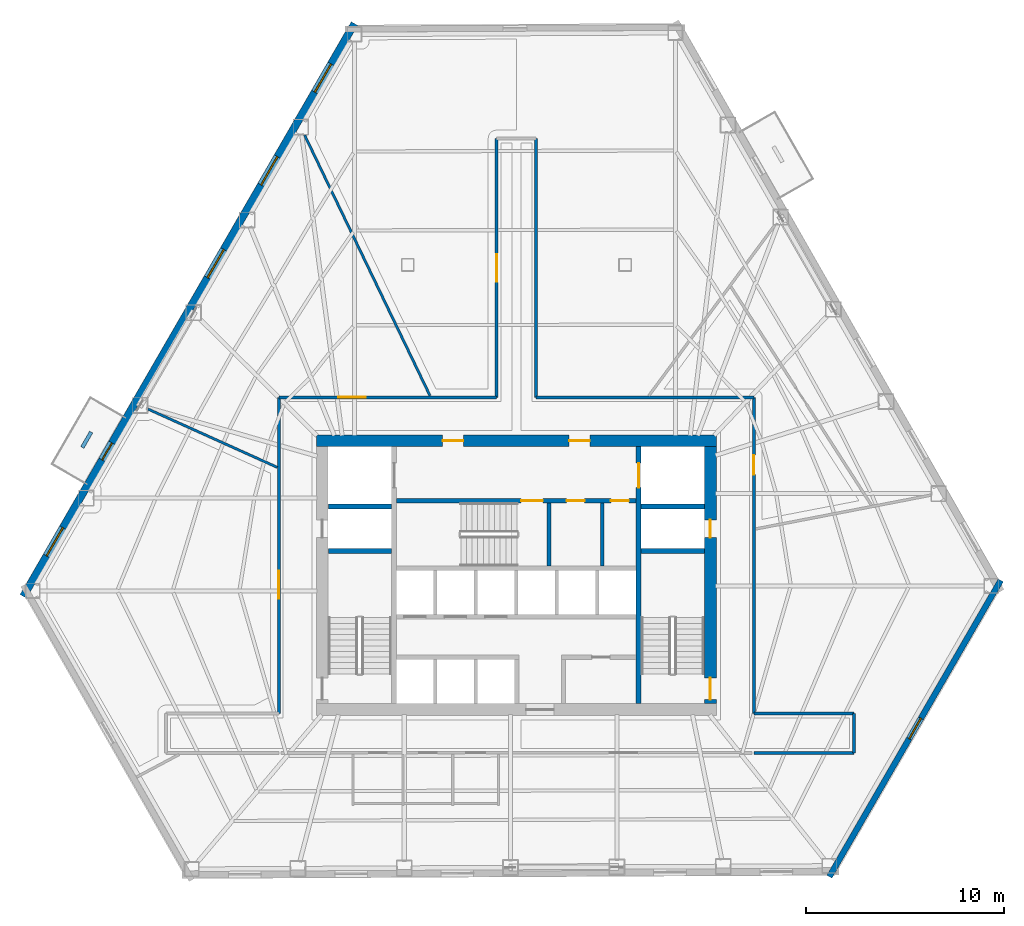
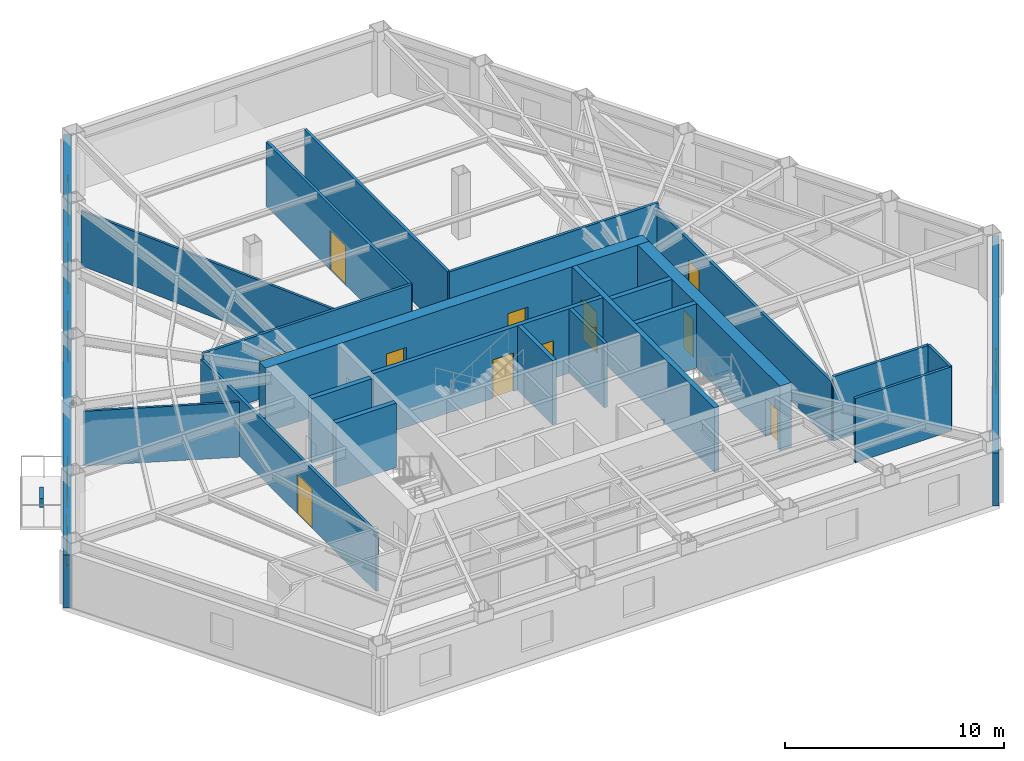
# One storey, part 7 of 11: 24 walls, 13 doors, 5 windows, 18 openings.
"""IFC4 building model written with IfcOpenShell, lengths in metres."""

from ifc_helpers import new_model, si_unit, direction, frame, frame_2d, origin, place, context, subcontext, project, spatial, rectangle, extrude, material, layer, layer_set, type_object, element, fill, save


model = new_model("IFC4")

# Units and contexts
model_context = context("Model", 3, precision=1e-05, world=origin(), true_north=direction((0.0, 1.0)))
body_context = subcontext(model_context, "Body", "Model", "MODEL_VIEW")
ifc_project = project(units=[si_unit("LENGTHUNIT", "METRE"), si_unit("AREAUNIT", "SQUARE_METRE"), si_unit("VOLUMEUNIT", "CUBIC_METRE"), si_unit("PLANEANGLEUNIT", "RADIAN"), si_unit("MASSUNIT", "GRAM", prefix="KILO")], contexts=[model_context])

# Site, building, storey
site_placement = place(None, origin())
site = spatial("IfcSite", under=ifc_project, at=site_placement, CompositionType="ELEMENT")
building_placement = place(site_placement, origin())
building = spatial("IfcBuilding", under=site, at=building_placement, Name="Kavelnor Concourse Tower", CompositionType="ELEMENT")
storey_placement = place(building_placement, frame((0.0, 0.0, 9.85009765625)))
storey = spatial("IfcBuildingStorey", under=building, at=storey_placement, Name="L02", CompositionType="ELEMENT", Elevation=9.85009765625)

# Wall, openings, doors
ifc_material_1 = material(Name="Concrete C60/75", Category="concrete")
ifc_layer_1 = layer(ifc_material_1, 0.60009765625, Name="Concrete C60/75")
ifc_layer_set_1 = layer_set([ifc_layer_1], Name="Concrete C60/75")
wall_type_1 = type_object("IfcWallType", Name="WL-CORE-Z1-600", PredefinedType="SOLIDWALL", material=ifc_layer_set_1)
wall_1_placement = place(storey_placement, frame((27.8798828125, 22.89990234375, 0.0), z_axis=(0.0, 0.0, 1.0), x_axis=(1.0, 0.0, 0.0)))
wall_1 = element("IfcWall", 1, at=wall_1_placement, inside=storey, type_object=wall_type_1, Name="L02 Central Core North Shear Wall", PredefinedType="SOLIDWALL", context=body_context, shape_type="SweptSolid", body=[
    extrude(rectangle(XDim=20.240234375, YDim=0.60009765625, at=frame_2d((10.1201171875, 0.0))), origin(), (0.0, 0.0, 1.0), 3.58984375),
])
opening_1_placement = place(wall_1_placement, frame((6.39501953125, 0.0, 0.0)))
opening_1 = element("IfcOpeningElement", 2, at=opening_1_placement, cuts=wall_1, Name="Opening FD-105", PredefinedType="OPENING", context=body_context, shape_type="SweptSolid", body=[
    extrude(rectangle(XDim=1.050048828125, YDim=2.14990234375, at=frame_2d((0.52490234375, 1.074951171875))), frame((0.0, 0.31005859375, 0.0), z_axis=(0.0, -1.0, 0.0), x_axis=(1.0, 0.0, 0.0)), (0.0, 0.0, 1.0), 0.6201171875),
])
opening_2_placement = place(wall_1_placement, frame((12.794921875, 0.0, 0.0)))
opening_2 = element("IfcOpeningElement", 3, at=opening_2_placement, cuts=wall_1, Name="Opening FD-105", PredefinedType="OPENING", context=body_context, shape_type="SweptSolid", body=[
    extrude(rectangle(XDim=1.050048828125, YDim=2.14990234375, at=frame_2d((0.52490234375, 1.074951171875))), frame((0.0, 0.31005859375, 0.0), z_axis=(0.0, -1.0, 0.0), x_axis=(1.0, 0.0, 0.0)), (0.0, 0.0, 1.0), 0.6201171875),
])
ifc_material_2 = material(Name="Steel Grade 350", Category="steel")
door_type_1 = type_object("IfcDoorType", Name="DR-LOBBY-FIRE-1050", OperationType="NOTDEFINED", PredefinedType="DOOR", material=ifc_material_2)
door_1_placement = place(opening_1_placement, origin())
door_1 = element("IfcDoor", 4, at=door_1_placement, inside=storey, type_object=door_type_1, Name="L02 Emergency Lift Lobby West Door", OperationType="SINGLE_SWING_LEFT", OverallHeight=2.14990234375, OverallWidth=1.050048828125, PredefinedType="DOOR", context=body_context, shape_type="SweptSolid", body=[
    extrude(rectangle(XDim=1.050048828125, YDim=2.14990234375, at=frame_2d((0.52490234375, 1.074951171875))), frame((0.0, 0.02490234375, 0.0), z_axis=(0.0, -1.0, 0.0), x_axis=(1.0, 0.0, 0.0)), (0.0, 0.0, 1.0), 0.050048828125),
])
fill(opening_1, door_1)
door_2_placement = place(opening_2_placement, origin())
door_2 = element("IfcDoor", 5, at=door_2_placement, inside=storey, type_object=door_type_1, Name="L02 Emergency Lift Lobby East Door", OperationType="SINGLE_SWING_RIGHT", OverallHeight=2.14990234375, OverallWidth=1.050048828125, PredefinedType="DOOR", context=body_context, shape_type="SweptSolid", body=[
    extrude(rectangle(XDim=1.050048828125, YDim=2.14990234375, at=frame_2d((0.52490234375, 1.074951171875))), frame((0.0, 0.02490234375, 0.0), z_axis=(0.0, -1.0, 0.0), x_axis=(1.0, 0.0, 0.0)), (0.0, 0.0, 1.0), 0.050048828125),
])
fill(opening_2, door_2)

wall_2_placement = place(storey_placement, frame((47.820068359375, 9.60009765625, 0.0), z_axis=(0.0, 0.0, 1.0), x_axis=(0.0, 1.0, 0.0)))
wall_2 = element("IfcWall", 6, at=wall_2_placement, inside=storey, type_object=wall_type_1, Name="L02 Central Core East Shear Wall", PredefinedType="SOLIDWALL", context=body_context, shape_type="SweptSolid", body=[
    extrude(rectangle(XDim=13.0, YDim=0.60009765625, at=frame_2d((6.5, 0.0))), origin(), (0.0, 0.0, 1.0), 3.58984375),
])
opening_3_placement = place(wall_2_placement, frame((0.199951171875, 0.0, 0.0)))
opening_3 = element("IfcOpeningElement", 7, at=opening_3_placement, cuts=wall_2, Name="Opening FD-110", PredefinedType="OPENING", context=body_context, shape_type="SweptSolid", body=[
    extrude(rectangle(XDim=1.10009765625, YDim=2.14990234375, at=frame_2d((0.550048828125, 1.074951171875))), frame((0.0, 0.31005859375, 0.0), z_axis=(0.0, -1.0, 0.0), x_axis=(1.0, 0.0, 0.0)), (0.0, 0.0, 1.0), 0.6201171875),
])
opening_4_placement = place(wall_2_placement, frame((8.39990234375, 0.0, 0.0)))
opening_4 = element("IfcOpeningElement", 8, at=opening_4_placement, cuts=wall_2, Name="Opening FD-090", PredefinedType="OPENING", context=body_context, shape_type="SweptSolid", body=[
    extrude(rectangle(XDim=0.89990234375, YDim=2.10009765625, at=frame_2d((0.449951171875, 1.050048828125))), frame((0.0, 0.31005859375, 0.0), z_axis=(0.0, -1.0, 0.0), x_axis=(1.0, 0.0, 0.0)), (0.0, 0.0, 1.0), 0.6201171875),
])
door_type_2 = type_object("IfcDoorType", Name="DR-RISER-FIRE-900", OperationType="NOTDEFINED", PredefinedType="DOOR", material=ifc_material_2)
door_3_placement = place(opening_4_placement, origin())
door_3 = element("IfcDoor", 9, at=door_3_placement, inside=storey, type_object=door_type_2, Name="L02 East Riser Access Door", OperationType="SINGLE_SWING_LEFT", OverallHeight=2.10009765625, OverallWidth=0.89990234375, PredefinedType="DOOR", context=body_context, shape_type="SweptSolid", body=[
    extrude(rectangle(XDim=0.89990234375, YDim=2.10009765625, at=frame_2d((0.449951171875, 1.050048828125))), frame((0.0, 0.02490234375, 0.0), z_axis=(0.0, -1.0, 0.0), x_axis=(1.0, 0.0, 0.0)), (0.0, 0.0, 1.0), 0.050048828125),
])
fill(opening_4, door_3)
door_type_3 = type_object("IfcDoorType", Name="DR-STAIR-FIRE-1100", OperationType="NOTDEFINED", PredefinedType="DOOR", material=ifc_material_2)
door_4_placement = place(opening_3_placement, origin())
door_4 = element("IfcDoor", 10, at=door_4_placement, inside=storey, type_object=door_type_3, Name="L02 Stair ST2 Fire Door", OperationType="SINGLE_SWING_RIGHT", OverallHeight=2.14990234375, OverallWidth=1.10009765625, PredefinedType="DOOR", context=body_context, shape_type="SweptSolid", body=[
    extrude(rectangle(XDim=1.10009765625, YDim=2.14990234375, at=frame_2d((0.550048828125, 1.074951171875))), frame((0.0, 0.02490234375, 0.0), z_axis=(0.0, -1.0, 0.0), x_axis=(1.0, 0.0, 0.0)), (0.0, 0.0, 1.0), 0.050048828125),
])
fill(opening_3, door_4)

# Wall, opening, window
ifc_material_3 = material(Name="Buff ironspot clay face brick masonry", Category="masonry")
ifc_layer_2 = layer(ifc_material_3, 0.300048828125, Name="Buff ironspot clay face brick masonry")
ifc_layer_set_2 = layer_set([ifc_layer_2], Name="Buff ironspot clay face brick masonry")
wall_type_2 = type_object("IfcWallType", Name="WL-EXT-BUFF-BRICK-FOLD-300", PredefinedType="STANDARD", material=ifc_layer_set_2)
wall_3_placement = place(storey_placement, frame((62.516845703125, 15.837158203125, 0.0), z_axis=(0.0, 0.0, 1.0), x_axis=(-0.500614653727, -0.86567024234, 0.0)))
wall_3 = element("IfcWall", 11, at=wall_3_placement, inside=storey, type_object=wall_type_2, Name="L02 Exterior Brick Facade Wall E4", PredefinedType="STANDARD", context=body_context, shape_type="SweptSolid", body=[
    extrude(rectangle(XDim=17.327392578125, YDim=0.300048828125, at=frame_2d((8.66357421875, 0.0))), origin(), (0.0, 0.0, 1.0), 2.969970703125),
])
opening_5_placement = place(wall_3_placement, frame((8.063720703125, 0.0, 0.64990234375)))
opening_5 = element("IfcOpeningElement", 12, at=opening_5_placement, cuts=wall_3, Name="Opening W-05", PredefinedType="OPENING", context=body_context, shape_type="SweptSolid", body=[
    extrude(rectangle(XDim=1.199951171875, YDim=1.699951171875, at=frame_2d((0.60009765625, 0.85009765625))), frame((0.0, 0.16015625, 0.0), z_axis=(0.0, -1.0, 0.0), x_axis=(1.0, 0.0, 0.0)), (0.0, 0.0, 1.0), 0.320068359375),
])
ifc_material_4 = material(Name="Double low-E argon insulated glazing", Category="glass")
window_type_1 = type_object("IfcWindowType", Name="WIN-FOLD-1200", PartitioningType="SINGLE_PANEL", PredefinedType="WINDOW", material=ifc_material_4)
window_1_placement = place(opening_5_placement, origin())
window_1 = element("IfcWindow", 13, at=window_1_placement, inside=storey, type_object=window_type_1, Name="L02 Chamfer-Fold Facet Window C2", OverallHeight=1.699951171875, OverallWidth=1.199951171875, PartitioningType="SINGLE_PANEL", PredefinedType="WINDOW", context=body_context, shape_type="SweptSolid", body=[
    extrude(rectangle(XDim=1.199951171875, YDim=1.699951171875, at=frame_2d((0.60009765625, 0.85009765625))), frame((0.0, 0.030029296875, 0.0), z_axis=(0.0, -1.0, 0.0), x_axis=(1.0, 0.0, 0.0)), (0.0, 0.0, 1.0), 0.06005859375),
])
fill(opening_5, window_1)

# Wall, openings, door, windows
ifc_material_5 = material(Name="Red-ochre clay face brick masonry", Category="masonry")
ifc_layer_3 = layer(ifc_material_5, 0.3798828125, Name="Red-ochre clay face brick masonry")
ifc_layer_set_3 = layer_set([ifc_layer_3], Name="Red-ochre clay face brick masonry")
wall_type_3 = type_object("IfcWallType", Name="WL-EXT-RED-BRICK-PIER-380", PredefinedType="STANDARD", material=ifc_layer_set_3)
wall_4_placement = place(storey_placement, frame((13.043701171875, 15.02685546875, 0.0), z_axis=(0.0, 0.0, 1.0), x_axis=(0.500616330433, 0.865669272704, 0.0)))
wall_4 = element("IfcWall", 14, at=wall_4_placement, inside=storey, type_object=wall_type_3, Name="L02 Exterior Brick Facade Wall E1", PredefinedType="STANDARD", context=body_context, shape_type="SweptSolid", body=[
    extrude(rectangle(XDim=33.486572265625, YDim=0.3798828125, at=frame_2d((16.7431640625, 0.0))), origin(), (0.0, 0.0, 1.0), 2.969970703125),
])
opening_6_placement = place(wall_4_placement, frame((7.9716796875, 0.0, 0.0)))
opening_6 = element("IfcOpeningElement", 15, at=opening_6_placement, cuts=wall_4, Name="Opening BD-100", PredefinedType="OPENING", context=body_context, shape_type="SweptSolid", body=[
    extrude(rectangle(XDim=1.0, YDim=2.199951171875, at=frame_2d((0.5, 1.10009765625))), frame((0.0, 0.199951171875, 0.0), z_axis=(0.0, -1.0, 0.0), x_axis=(1.0, 0.0, 0.0)), (0.0, 0.0, 1.0), 0.39990234375),
])
opening_7_placement = place(wall_4_placement, frame((29.47509765625, 0.0, 0.64990234375)))
opening_7 = element("IfcOpeningElement", 16, at=opening_7_placement, cuts=wall_4, Name="Opening W-01", PredefinedType="OPENING", context=body_context, shape_type="SweptSolid", body=[
    extrude(rectangle(XDim=1.64990234375, YDim=1.75, at=frame_2d((0.824951171875, 0.875))), frame((0.0, 0.199951171875, 0.0), z_axis=(0.0, -1.0, 0.0), x_axis=(1.0, 0.0, 0.0)), (0.0, 0.0, 1.0), 0.39990234375),
])
opening_8_placement = place(wall_4_placement, frame((24.052490234375, 0.0, 0.64990234375)))
opening_8 = element("IfcOpeningElement", 17, at=opening_8_placement, cuts=wall_4, Name="Opening W-01", PredefinedType="OPENING", context=body_context, shape_type="SweptSolid", body=[
    extrude(rectangle(XDim=1.64990234375, YDim=1.75, at=frame_2d((0.824951171875, 0.875))), frame((0.0, 0.199951171875, 0.0), z_axis=(0.0, -1.0, 0.0), x_axis=(1.0, 0.0, 0.0)), (0.0, 0.0, 1.0), 0.39990234375),
])
opening_9_placement = place(wall_4_placement, frame((18.6298828125, 0.0, 0.64990234375)))
opening_9 = element("IfcOpeningElement", 18, at=opening_9_placement, cuts=wall_4, Name="Opening W-01", PredefinedType="OPENING", context=body_context, shape_type="SweptSolid", body=[
    extrude(rectangle(XDim=1.64990234375, YDim=1.75, at=frame_2d((0.824951171875, 0.875))), frame((0.0, 0.199951171875, 0.0), z_axis=(0.0, -1.0, 0.0), x_axis=(1.0, 0.0, 0.0)), (0.0, 0.0, 1.0), 0.39990234375),
])
opening_10_placement = place(wall_4_placement, frame((2.3623046875, 0.0, 0.64990234375)))
opening_10 = element("IfcOpeningElement", 19, at=opening_10_placement, cuts=wall_4, Name="Opening W-01", PredefinedType="OPENING", context=body_context, shape_type="SweptSolid", body=[
    extrude(rectangle(XDim=1.64990234375, YDim=1.75, at=frame_2d((0.824951171875, 0.875))), frame((0.0, 0.199951171875, 0.0), z_axis=(0.0, -1.0, 0.0), x_axis=(1.0, 0.0, 0.0)), (0.0, 0.0, 1.0), 0.39990234375),
])
ifc_material_6 = material(Name="Anodised aluminium 6063-T6", Category="aluminium")
door_type_4 = type_object("IfcDoorType", Name="DR-BALCONY-EXT-1000", OperationType="NOTDEFINED", PredefinedType="DOOR", material=ifc_material_6)
door_5_placement = place(opening_6_placement, origin())
door_5 = element("IfcDoor", 20, at=door_5_placement, inside=storey, type_object=door_type_4, Name="L02 Tree Balcony 2 Glazed Door", OperationType="SINGLE_SWING_RIGHT", OverallHeight=2.199951171875, OverallWidth=1.0, PredefinedType="DOOR", context=body_context, shape_type="SweptSolid", body=[
    extrude(rectangle(XDim=1.0, YDim=2.199951171875, at=frame_2d((0.5, 1.10009765625))), frame((0.0, 0.02490234375, 0.0), z_axis=(0.0, -1.0, 0.0), x_axis=(1.0, 0.0, 0.0)), (0.0, 0.0, 1.0), 0.050048828125),
])
fill(opening_6, door_5)
window_type_2 = type_object("IfcWindowType", Name="WIN-PIER-Z1-1800", PartitioningType="SINGLE_PANEL", PredefinedType="WINDOW", material=ifc_material_4)
window_2_placement = place(opening_7_placement, origin())
window_2 = element("IfcWindow", 21, at=window_2_placement, inside=storey, type_object=window_type_2, Name="L02 Deep-Set Brick Pier Window F0-B0", OverallHeight=1.75, OverallWidth=1.64990234375, PartitioningType="SINGLE_PANEL", PredefinedType="WINDOW", context=body_context, shape_type="SweptSolid", body=[
    extrude(rectangle(XDim=1.64990234375, YDim=1.75, at=frame_2d((0.824951171875, 0.875))), frame((0.0, 0.030029296875, 0.0), z_axis=(0.0, -1.0, 0.0), x_axis=(1.0, 0.0, 0.0)), (0.0, 0.0, 1.0), 0.06005859375),
])
fill(opening_7, window_2)
window_3_placement = place(opening_8_placement, origin())
window_3 = element("IfcWindow", 22, at=window_3_placement, inside=storey, type_object=window_type_2, Name="L02 Deep-Set Brick Pier Window F0-B1", OverallHeight=1.75, OverallWidth=1.64990234375, PartitioningType="SINGLE_PANEL", PredefinedType="WINDOW", context=body_context, shape_type="SweptSolid", body=[
    extrude(rectangle(XDim=1.64990234375, YDim=1.75, at=frame_2d((0.824951171875, 0.875))), frame((0.0, 0.030029296875, 0.0), z_axis=(0.0, -1.0, 0.0), x_axis=(1.0, 0.0, 0.0)), (0.0, 0.0, 1.0), 0.06005859375),
])
fill(opening_8, window_3)
window_4_placement = place(opening_9_placement, origin())
window_4 = element("IfcWindow", 23, at=window_4_placement, inside=storey, type_object=window_type_2, Name="L02 Deep-Set Brick Pier Window F0-B2", OverallHeight=1.75, OverallWidth=1.64990234375, PartitioningType="SINGLE_PANEL", PredefinedType="WINDOW", context=body_context, shape_type="SweptSolid", body=[
    extrude(rectangle(XDim=1.64990234375, YDim=1.75, at=frame_2d((0.824951171875, 0.875))), frame((0.0, 0.030029296875, 0.0), z_axis=(0.0, -1.0, 0.0), x_axis=(1.0, 0.0, 0.0)), (0.0, 0.0, 1.0), 0.06005859375),
])
fill(opening_9, window_4)
window_5_placement = place(opening_10_placement, origin())
window_5 = element("IfcWindow", 24, at=window_5_placement, inside=storey, type_object=window_type_2, Name="L02 Deep-Set Brick Pier Window F0-B5", OverallHeight=1.75, OverallWidth=1.64990234375, PartitioningType="SINGLE_PANEL", PredefinedType="WINDOW", context=body_context, shape_type="SweptSolid", body=[
    extrude(rectangle(XDim=1.64990234375, YDim=1.75, at=frame_2d((0.824951171875, 0.875))), frame((0.0, 0.030029296875, 0.0), z_axis=(0.0, -1.0, 0.0), x_axis=(1.0, 0.0, 0.0)), (0.0, 0.0, 1.0), 0.06005859375),
])
fill(opening_10, window_5)

# Wall, opening, door
ifc_material_7 = material(Name="Gypsum plasterboard on light-gauge steel studs", Category="steel")
ifc_layer_4 = layer(ifc_material_7, 0.14501953125, Name="Gypsum plasterboard on light-gauge steel studs")
ifc_layer_set_4 = layer_set([ifc_layer_4], Name="Gypsum plasterboard on light-gauge steel studs")
wall_type_4 = type_object("IfcWallType", Name="WL-INT-CORR-145", PredefinedType="PARTITIONING", material=ifc_layer_set_4)
wall_5_placement = place(storey_placement, frame((25.97998046875, 9.10009765625, 0.0), z_axis=(0.0, 0.0, 1.0), x_axis=(0.0, 1.0, 0.0)))
wall_5 = element("IfcWall", 25, at=wall_5_placement, inside=storey, type_object=wall_type_4, Name="L02 Corridor Wall WL-L02-CR-02", PredefinedType="PARTITIONING", context=body_context, shape_type="SweptSolid", body=[
    extrude(rectangle(XDim=16.0, YDim=0.14501953125, at=frame_2d((8.0, 0.0))), origin(), (0.0, 0.0, 1.0), 3.27783203125),
])
opening_11_placement = place(wall_5_placement, frame((5.81103515625, 0.0, 0.0)))
opening_11 = element("IfcOpeningElement", 26, at=opening_11_placement, cuts=wall_5, Name="Opening SD-140", PredefinedType="OPENING", context=body_context, shape_type="SweptSolid", body=[
    extrude(rectangle(XDim=1.39990234375, YDim=2.199951171875, at=frame_2d((0.699951171875, 1.10009765625))), frame((0.0, 0.08251953125, 0.0), z_axis=(0.0, -1.0, 0.0), x_axis=(1.0, 0.0, 0.0)), (0.0, 0.0, 1.0), 0.1650390625),
])
ifc_material_8 = material(Name="Solid-core hardwood timber", Category="wood")
door_type_5 = type_object("IfcDoorType", Name="DR-SUITE-ENTRY-1400", OperationType="NOTDEFINED", PredefinedType="DOOR", material=ifc_material_8)
door_6_placement = place(opening_11_placement, origin())
door_6 = element("IfcDoor", 27, at=door_6_placement, inside=storey, type_object=door_type_5, Name="L02 Architectural Design Studio 05 Door", OperationType="SINGLE_SWING_RIGHT", OverallHeight=2.199951171875, OverallWidth=1.39990234375, PredefinedType="DOOR", context=body_context, shape_type="SweptSolid", body=[
    extrude(rectangle(XDim=1.39990234375, YDim=2.199951171875, at=frame_2d((0.699951171875, 1.10009765625))), frame((0.0, 0.02490234375, 0.0), z_axis=(0.0, -1.0, 0.0), x_axis=(1.0, 0.0, 0.0)), (0.0, 0.0, 1.0), 0.050048828125),
])
fill(opening_11, door_6)

wall_6_placement = place(storey_placement, frame((25.97998046875, 25.10009765625, 0.0), z_axis=(0.0, 0.0, 1.0), x_axis=(1.0, 0.0, 0.0)))
wall_6 = element("IfcWall", 28, at=wall_6_placement, inside=storey, type_object=wall_type_4, Name="L02 Corridor Wall WL-L02-CR-03", PredefinedType="PARTITIONING", context=body_context, shape_type="SweptSolid", body=[
    extrude(rectangle(XDim=11.02001953125, YDim=0.14501953125, at=frame_2d((5.510009765625, 0.0))), origin(), (0.0, 0.0, 1.0), 3.58984375),
])
opening_12_placement = place(wall_6_placement, frame((3.010009765625, 0.0, 0.0)))
opening_12 = element("IfcOpeningElement", 29, at=opening_12_placement, cuts=wall_6, Name="Opening SD-140", PredefinedType="OPENING", context=body_context, shape_type="SweptSolid", body=[
    extrude(rectangle(XDim=1.39990234375, YDim=2.199951171875, at=frame_2d((0.699951171875, 1.10009765625))), frame((0.0, 0.08251953125, 0.0), z_axis=(0.0, -1.0, 0.0), x_axis=(1.0, 0.0, 0.0)), (0.0, 0.0, 1.0), 0.1650390625),
])
door_7_placement = place(opening_12_placement, origin())
door_7 = element("IfcDoor", 30, at=door_7_placement, inside=storey, type_object=door_type_5, Name="L02 Architectural Design Studio 04 Door", OperationType="SINGLE_SWING_LEFT", OverallHeight=2.199951171875, OverallWidth=1.39990234375, PredefinedType="DOOR", context=body_context, shape_type="SweptSolid", body=[
    extrude(rectangle(XDim=1.39990234375, YDim=2.199951171875, at=frame_2d((0.699951171875, 1.10009765625))), frame((0.0, 0.02490234375, 0.0), z_axis=(0.0, -1.0, 0.0), x_axis=(1.0, 0.0, 0.0)), (0.0, 0.0, 1.0), 0.050048828125),
])
fill(opening_12, door_7)

wall_7_placement = place(storey_placement, frame((37.0, 25.10009765625, 0.0), z_axis=(0.0, 0.0, 1.0), x_axis=(0.0, 1.0, 0.0)))
wall_7 = element("IfcWall", 31, at=wall_7_placement, inside=storey, type_object=wall_type_4, Name="L02 Corridor Wall WL-L02-CR-04", PredefinedType="PARTITIONING", context=body_context, shape_type="SweptSolid", body=[
    extrude(rectangle(XDim=13.099853515625, YDim=0.14501953125, at=frame_2d((6.5498046875, 0.0))), origin(), (0.0, 0.0, 1.0), 3.58984375),
])
opening_13_placement = place(wall_7_placement, frame((5.85009765625, 0.0, 0.0)))
opening_13 = element("IfcOpeningElement", 32, at=opening_13_placement, cuts=wall_7, Name="Opening SD-140", PredefinedType="OPENING", context=body_context, shape_type="SweptSolid", body=[
    extrude(rectangle(XDim=1.39990234375, YDim=2.199951171875, at=frame_2d((0.699951171875, 1.10009765625))), frame((0.0, 0.08251953125, 0.0), z_axis=(0.0, -1.0, 0.0), x_axis=(1.0, 0.0, 0.0)), (0.0, 0.0, 1.0), 0.1650390625),
])
door_8_placement = place(opening_13_placement, origin())
door_8 = element("IfcDoor", 33, at=door_8_placement, inside=storey, type_object=door_type_5, Name="L02 Tenant Bookstore Retail Shop 03 Door", OperationType="SINGLE_SWING_RIGHT", OverallHeight=2.199951171875, OverallWidth=1.39990234375, PredefinedType="DOOR", context=body_context, shape_type="SweptSolid", body=[
    extrude(rectangle(XDim=1.39990234375, YDim=2.199951171875, at=frame_2d((0.699951171875, 1.10009765625))), frame((0.0, 0.02490234375, 0.0), z_axis=(0.0, -1.0, 0.0), x_axis=(1.0, 0.0, 0.0)), (0.0, 0.0, 1.0), 0.050048828125),
])
fill(opening_13, door_8)

# Walls
wall_8_placement = place(storey_placement, frame((39.0, 38.199951171875, 0.0), z_axis=(0.0, 0.0, 1.0), x_axis=(0.0, -1.0, 0.0)))
element("IfcWall", 34, at=wall_8_placement, inside=storey, type_object=wall_type_4, Name="L02 Corridor Wall WL-L02-CR-06", PredefinedType="PARTITIONING", context=body_context, shape_type="SweptSolid", body=[
    extrude(rectangle(XDim=13.099853515625, YDim=0.14501953125, at=frame_2d((6.5498046875, 0.0))), origin(), (0.0, 0.0, 1.0), 3.58984375),
])
wall_9_placement = place(storey_placement, frame((39.0, 25.10009765625, 0.0), z_axis=(0.0, 0.0, 1.0), x_axis=(1.0, 0.0, 0.0)))
element("IfcWall", 35, at=wall_9_placement, inside=storey, type_object=wall_type_4, Name="L02 Corridor Wall WL-L02-CR-07", PredefinedType="PARTITIONING", context=body_context, shape_type="SweptSolid", body=[
    extrude(rectangle(XDim=11.02001953125, YDim=0.14501953125, at=frame_2d((5.510009765625, 0.0))), origin(), (0.0, 0.0, 1.0), 3.58984375),
])

# Wall, opening, door
wall_10_placement = place(storey_placement, frame((50.02001953125, 25.10009765625, 0.0), z_axis=(0.0, 0.0, 1.0), x_axis=(0.0, -1.0, 0.0)))
wall_10 = element("IfcWall", 36, at=wall_10_placement, inside=storey, type_object=wall_type_4, Name="L02 Corridor Wall WL-L02-CR-08", PredefinedType="PARTITIONING", context=body_context, shape_type="SweptSolid", body=[
    extrude(rectangle(XDim=16.0, YDim=0.14501953125, at=frame_2d((8.0, 0.0))), origin(), (0.0, 0.0, 1.0), 3.27783203125),
])
opening_14_placement = place(wall_10_placement, frame((2.92724609375, 0.0, 0.0)))
opening_14 = element("IfcOpeningElement", 37, at=opening_14_placement, cuts=wall_10, Name="Opening OD-098", PredefinedType="OPENING", context=body_context, shape_type="SweptSolid", body=[
    extrude(rectangle(XDim=0.97998046875, YDim=2.14990234375, at=frame_2d((0.489990234375, 1.074951171875))), frame((0.0, 0.08251953125, 0.0), z_axis=(0.0, -1.0, 0.0), x_axis=(1.0, 0.0, 0.0)), (0.0, 0.0, 1.0), 0.1650390625),
])
door_type_6 = type_object("IfcDoorType", Name="DR-OFFICE-980", OperationType="NOTDEFINED", PredefinedType="DOOR", material=ifc_material_8)
door_9_placement = place(opening_14_placement, origin())
door_9 = element("IfcDoor", 38, at=door_9_placement, inside=storey, type_object=door_type_6, Name="L02 Architectural Design Studio 01 Door", OperationType="SINGLE_SWING_RIGHT", OverallHeight=2.14990234375, OverallWidth=0.97998046875, PredefinedType="DOOR", context=body_context, shape_type="SweptSolid", body=[
    extrude(rectangle(XDim=0.97998046875, YDim=2.14990234375, at=frame_2d((0.489990234375, 1.074951171875))), frame((0.0, 0.02490234375, 0.0), z_axis=(0.0, -1.0, 0.0), x_axis=(1.0, 0.0, 0.0)), (0.0, 0.0, 1.0), 0.050048828125),
])
fill(opening_14, door_9)

# Walls
wall_11_placement = place(storey_placement, frame((50.02001953125, 9.10009765625, 0.0), z_axis=(0.0, 0.0, 1.0), x_axis=(1.0, 0.0, 0.0)))
element("IfcWall", 39, at=wall_11_placement, inside=storey, type_object=wall_type_4, Name="L02 Corridor Wall WL-L02-CR-09", PredefinedType="PARTITIONING", context=body_context, shape_type="SweptSolid", body=[
    extrude(rectangle(XDim=5.06591796875, YDim=0.14501953125, at=frame_2d((2.532958984375, 0.0))), origin(), (0.0, 0.0, 1.0), 3.58984375),
])
wall_12_placement = place(storey_placement, frame((55.0859375, 9.10009765625, 0.0), z_axis=(0.0, 0.0, 1.0), x_axis=(0.0, -1.0, 0.0)))
element("IfcWall", 40, at=wall_12_placement, inside=storey, type_object=wall_type_4, Name="L02 Corridor Wall WL-L02-CR-10", PredefinedType="PARTITIONING", context=body_context, shape_type="SweptSolid", body=[
    extrude(rectangle(XDim=2.0, YDim=0.14501953125, at=frame_2d((1.0, 0.0))), origin(), (0.0, 0.0, 1.0), 3.58984375),
])
wall_13_placement = place(storey_placement, frame((55.0859375, 7.10009765625, 0.0), z_axis=(0.0, 0.0, 1.0), x_axis=(-1.0, 0.0, 0.0)))
element("IfcWall", 41, at=wall_13_placement, inside=storey, type_object=wall_type_4, Name="L02 Corridor Wall WL-L02-CR-11", PredefinedType="PARTITIONING", context=body_context, shape_type="SweptSolid", body=[
    extrude(rectangle(XDim=5.06591796875, YDim=0.14501953125, at=frame_2d((2.532958984375, 0.0))), origin(), (0.0, 0.0, 1.0), 3.58984375),
])
ifc_layer_5 = layer(ifc_material_7, 0.1650390625, Name="Gypsum plasterboard on light-gauge steel studs")
ifc_layer_set_5 = layer_set([ifc_layer_5], Name="Gypsum plasterboard on light-gauge steel studs")
wall_type_5 = type_object("IfcWallType", Name="WL-INT-FIRE-165", PredefinedType="PARTITIONING", material=ifc_layer_set_5)
wall_14_placement = place(storey_placement, frame((42.35009765625, 16.56005859375, 0.0), z_axis=(0.0, 0.0, 1.0), x_axis=(0.0, 1.0, 0.0)))
element("IfcWall", 42, at=wall_14_placement, inside=storey, type_object=wall_type_5, Name="L02 Core Support Asymmetric Divider", PredefinedType="PARTITIONING", context=body_context, shape_type="SweptSolid", body=[
    extrude(rectangle(XDim=3.199951171875, YDim=0.1650390625, at=frame_2d((1.60009765625, 0.0))), origin(), (0.0, 0.0, 1.0), 3.58984375),
])
ifc_layer_6 = layer(ifc_material_7, 0.125, Name="Gypsum plasterboard on light-gauge steel studs")
ifc_layer_set_6 = layer_set([ifc_layer_6], Name="Gypsum plasterboard on light-gauge steel studs")
wall_type_6 = type_object("IfcWallType", Name="WL-INT-SUITE-125", PredefinedType="PARTITIONING", material=ifc_layer_set_6)
wall_15_placement = place(storey_placement, frame((33.63037109375, 25.180419921875, 0.0), z_axis=(0.0, 0.0, 1.0), x_axis=(-0.433614955138, 0.901098258061, 0.0)))
element("IfcWall", 43, at=wall_15_placement, inside=storey, type_object=wall_type_6, Name="L02 Radial Suite Partition 03", PredefinedType="PARTITIONING", context=body_context, shape_type="SweptSolid", body=[
    extrude(rectangle(XDim=14.63330078125, YDim=0.125, at=frame_2d((7.316650390625, 0.0))), origin(), (0.0, 0.0, 1.0), 3.056884765625),
])
wall_16_placement = place(storey_placement, frame((25.8994140625, 21.55615234375, 0.0), z_axis=(0.0, 0.0, 1.0), x_axis=(-0.911612735683, 0.411050143097, 0.0)))
element("IfcWall", 44, at=wall_16_placement, inside=storey, type_object=wall_type_6, Name="L02 Radial Suite Partition 04", PredefinedType="PARTITIONING", context=body_context, shape_type="SweptSolid", body=[
    extrude(rectangle(XDim=7.181396484375, YDim=0.125, at=frame_2d((3.5908203125, 0.0))), origin(), (0.0, 0.0, 1.0), 3.056884765625),
])
ifc_material_9 = material(Name="Architectural precast planter concrete C40/50", Category="concrete")
ifc_layer_7 = layer(ifc_material_9, 0.18994140625, Name="Architectural precast planter concrete C40/50")
ifc_layer_set_7 = layer_set([ifc_layer_7], Name="Architectural precast planter concrete C40/50")
wall_type_7 = type_object("IfcWallType", Name="WL-PLANTER-KERB-190", PredefinedType="USERDEFINED", material=ifc_layer_set_7)
wall_17_placement = place(storey_placement, frame((16.484130859375, 23.34326171875, 0.0), z_axis=(0.0, 0.0, 1.0), x_axis=(-0.500544251447, -0.86571095196, 0.0)))
element("IfcWall", 45, at=wall_17_placement, inside=storey, type_object=wall_type_7, Name="L02 Tree Balcony 2 Tree Planter Kerb", ObjectType="PLANTER", PredefinedType="USERDEFINED", context=body_context, shape_type="SweptSolid", body=[
    extrude(rectangle(XDim=0.89990234375, YDim=0.18994140625, at=frame_2d((0.449951171875, 0.0))), origin(), (0.0, 0.0, 1.0), 0.5),
])

# Wall, openings, doors
ifc_material_10 = material(Name="Concrete C50/60", Category="concrete")
ifc_layer_8 = layer(ifc_material_10, 0.219970703125, Name="Concrete C50/60")
ifc_layer_set_8 = layer_set([ifc_layer_8], Name="Concrete C50/60")
wall_type_8 = type_object("IfcWallType", Name="WL-SHAFT-220", PredefinedType="SOLIDWALL", material=ifc_layer_set_8)
wall_18_placement = place(storey_placement, frame((31.93994140625, 19.8701171875, 0.0), z_axis=(0.0, 0.0, 1.0), x_axis=(1.0, 0.0, 0.0)))
wall_18 = element("IfcWall", 46, at=wall_18_placement, inside=storey, type_object=wall_type_8, Name="L02 Emergency Lift Lobby South Wall", PredefinedType="SOLIDWALL", context=body_context, shape_type="SweptSolid", body=[
    extrude(rectangle(XDim=12.1201171875, YDim=0.219970703125, at=frame_2d((6.06005859375, 0.0))), origin(), (0.0, 0.0, 1.0), 3.58984375),
])
opening_15_placement = place(wall_18_placement, frame((6.300048828125, 0.0, 0.0)))
opening_15 = element("IfcOpeningElement", 47, at=opening_15_placement, cuts=wall_18, Name="Opening FD-110", PredefinedType="OPENING", context=body_context, shape_type="SweptSolid", body=[
    extrude(rectangle(XDim=1.10009765625, YDim=2.14990234375, at=frame_2d((0.550048828125, 1.074951171875))), frame((0.0, 0.1201171875, 0.0), z_axis=(0.0, -1.0, 0.0), x_axis=(1.0, 0.0, 0.0)), (0.0, 0.0, 1.0), 0.239990234375),
])
opening_16_placement = place(wall_18_placement, frame((8.610107421875, 0.0, 0.0)))
opening_16 = element("IfcOpeningElement", 48, at=opening_16_placement, cuts=wall_18, Name="Opening FD-090", PredefinedType="OPENING", context=body_context, shape_type="SweptSolid", body=[
    extrude(rectangle(XDim=0.89990234375, YDim=2.10009765625, at=frame_2d((0.449951171875, 1.050048828125))), frame((0.0, 0.1201171875, 0.0), z_axis=(0.0, -1.0, 0.0), x_axis=(1.0, 0.0, 0.0)), (0.0, 0.0, 1.0), 0.239990234375),
])
opening_17_placement = place(wall_18_placement, frame((10.85009765625, 0.0, 0.0)))
opening_17 = element("IfcOpeningElement", 49, at=opening_17_placement, cuts=wall_18, Name="Opening FD-090", PredefinedType="OPENING", context=body_context, shape_type="SweptSolid", body=[
    extrude(rectangle(XDim=0.89990234375, YDim=2.10009765625, at=frame_2d((0.449951171875, 1.050048828125))), frame((0.0, 0.1201171875, 0.0), z_axis=(0.0, -1.0, 0.0), x_axis=(1.0, 0.0, 0.0)), (0.0, 0.0, 1.0), 0.239990234375),
])
door_10_placement = place(opening_16_placement, origin())
door_10 = element("IfcDoor", 50, at=door_10_placement, inside=storey, type_object=door_type_2, Name="L02 Electrical Room Door", OperationType="SINGLE_SWING_LEFT", OverallHeight=2.10009765625, OverallWidth=0.89990234375, PredefinedType="DOOR", context=body_context, shape_type="SweptSolid", body=[
    extrude(rectangle(XDim=0.89990234375, YDim=2.10009765625, at=frame_2d((0.449951171875, 1.050048828125))), frame((0.0, 0.02490234375, 0.0), z_axis=(0.0, -1.0, 0.0), x_axis=(1.0, 0.0, 0.0)), (0.0, 0.0, 1.0), 0.050048828125),
])
fill(opening_16, door_10)
door_11_placement = place(opening_17_placement, origin())
door_11 = element("IfcDoor", 51, at=door_11_placement, inside=storey, type_object=door_type_2, Name="L02 Cleaner Store Door", OperationType="SINGLE_SWING_RIGHT", OverallHeight=2.10009765625, OverallWidth=0.89990234375, PredefinedType="DOOR", context=body_context, shape_type="SweptSolid", body=[
    extrude(rectangle(XDim=0.89990234375, YDim=2.10009765625, at=frame_2d((0.449951171875, 1.050048828125))), frame((0.0, 0.02490234375, 0.0), z_axis=(0.0, -1.0, 0.0), x_axis=(1.0, 0.0, 0.0)), (0.0, 0.0, 1.0), 0.050048828125),
])
fill(opening_17, door_11)
door_12_placement = place(opening_15_placement, origin())
door_12 = element("IfcDoor", 52, at=door_12_placement, inside=storey, type_object=door_type_3, Name="L02 Stair ST3 Fire Door", OperationType="SINGLE_SWING_LEFT", OverallHeight=2.14990234375, OverallWidth=1.10009765625, PredefinedType="DOOR", context=body_context, shape_type="SweptSolid", body=[
    extrude(rectangle(XDim=1.10009765625, YDim=2.14990234375, at=frame_2d((0.550048828125, 1.074951171875))), frame((0.0, 0.02490234375, 0.0), z_axis=(0.0, -1.0, 0.0), x_axis=(1.0, 0.0, 0.0)), (0.0, 0.0, 1.0), 0.050048828125),
])
fill(opening_15, door_12)

# Wall
wall_19_placement = place(storey_placement, frame((39.64990234375, 16.56005859375, 0.0), z_axis=(0.0, 0.0, 1.0), x_axis=(0.0, 1.0, 0.0)))
element("IfcWall", 53, at=wall_19_placement, inside=storey, type_object=wall_type_8, Name="L02 Stair ST3 East Core Wall", PredefinedType="SOLIDWALL", context=body_context, shape_type="SweptSolid", body=[
    extrude(rectangle(XDim=3.199951171875, YDim=0.219970703125, at=frame_2d((1.60009765625, 0.0))), origin(), (0.0, 0.0, 1.0), 3.58984375),
])

# Wall, opening, door
ifc_layer_9 = layer(ifc_material_10, 0.260009765625, Name="Concrete C50/60")
ifc_layer_set_9 = layer_set([ifc_layer_9], Name="Concrete C50/60")
wall_type_9 = type_object("IfcWallType", Name="WL-SHAFT-260", PredefinedType="SHEAR", material=ifc_layer_set_9)
wall_20_placement = place(storey_placement, frame((44.18994140625, 9.60009765625, 0.0), z_axis=(0.0, 0.0, 1.0), x_axis=(0.0, 1.0, 0.0)))
wall_20 = element("IfcWall", 54, at=wall_20_placement, inside=storey, type_object=wall_type_9, Name="L02 Core East Wing Shear Wall", PredefinedType="SHEAR", context=body_context, shape_type="SweptSolid", body=[
    extrude(rectangle(XDim=13.0, YDim=0.260009765625, at=frame_2d((6.5, 0.0))), origin(), (0.0, 0.0, 1.0), 3.58984375),
])
opening_18_placement = place(wall_20_placement, frame((10.925048828125, 0.0, 0.0)))
opening_18 = element("IfcOpeningElement", 55, at=opening_18_placement, cuts=wall_20, Name="Opening LD-125", PredefinedType="OPENING", context=body_context, shape_type="SweptSolid", body=[
    extrude(rectangle(XDim=1.25, YDim=2.25, at=frame_2d((0.625, 1.125))), frame((0.0, 0.14013671875, 0.0), z_axis=(0.0, -1.0, 0.0), x_axis=(1.0, 0.0, 0.0)), (0.0, 0.0, 1.0), 0.280029296875),
])
door_type_7 = type_object("IfcDoorType", Name="DR-LIFT-SLIDING-1250", OperationType="NOTDEFINED", PredefinedType="DOOR", material=ifc_material_2)
door_13_placement = place(opening_18_placement, origin())
door_13 = element("IfcDoor", 56, at=door_13_placement, inside=storey, type_object=door_type_7, Name="L02 Emergency Lift FL2 Landing Door", OperationType="DOUBLE_DOOR_SLIDING", OverallHeight=2.25, OverallWidth=1.25, PredefinedType="DOOR", context=body_context, shape_type="SweptSolid", body=[
    extrude(rectangle(XDim=1.25, YDim=2.25, at=frame_2d((0.625, 1.125))), frame((0.0, 0.02490234375, 0.0), z_axis=(0.0, -1.0, 0.0), x_axis=(1.0, 0.0, 0.0)), (0.0, 0.0, 1.0), 0.050048828125),
])
fill(opening_18, door_13)

# Walls
for number, where, z_axis, x_axis, name in (
    (57, (28.47998046875, 17.330078125, 0.0), (0.0, 0.0, 1.0), (1.0, 0.0, 0.0), "L02 Stair ST1 North Shaft Wall"),
    (58, (28.47998046875, 19.570068359375, 0.0), (0.0, 0.0, 1.0), (1.0, 0.0, 0.0), "L02 Emergency Lift FL1 South Shaft Wall"),
    (59, (44.320068359375, 17.330078125, 0.0), (0.0, 0.0, 1.0), (1.0, 0.0, 0.0), "L02 Stair ST2 North Shaft Wall"),
    (60, (44.320068359375, 19.570068359375, 0.0), (0.0, 0.0, 1.0), (1.0, 0.0, 0.0), "L02 Emergency Lift FL2 South Shaft Wall"),
):
    element("IfcWall", number, at=place(storey_placement, frame(where, z_axis=z_axis, x_axis=x_axis)), inside=storey, type_object=wall_type_9, Name=name, PredefinedType="SHEAR", context=body_context, shape_type="SweptSolid", body=[
        extrude(rectangle(XDim=3.199951171875, YDim=0.260009765625, at=frame_2d((1.60009765625, 0.0))), origin(), (0.0, 0.0, 1.0), 3.58984375),
    ])

save(model, "model.ifc")
